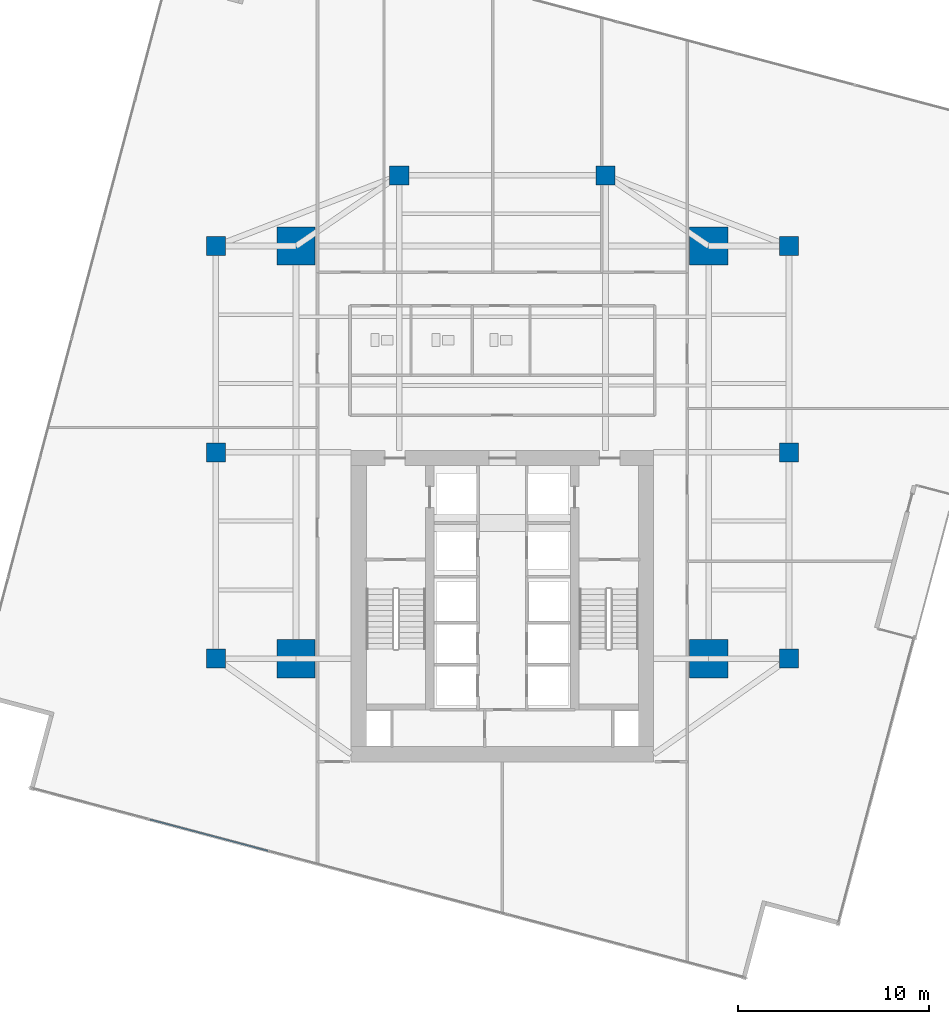
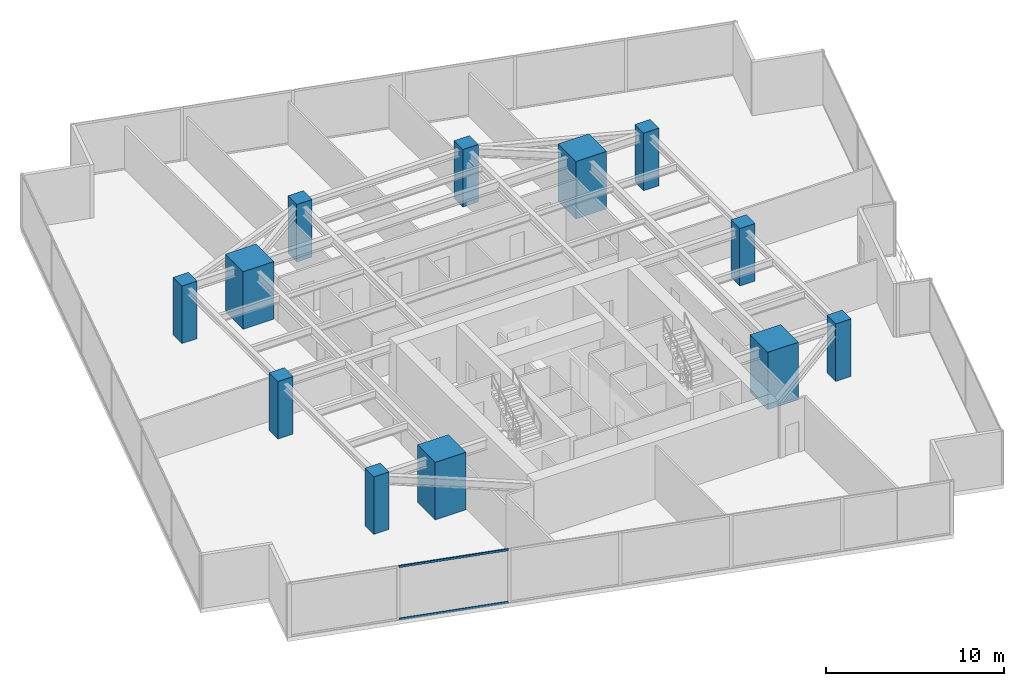
# One storey, part 1 of 27: 12 columns, 2 members, 1 element without a shape of its own.
"""IFC4 building model written with IfcOpenShell, lengths in metres."""

from ifc_helpers import new_model, si_unit, direction, frame, origin, origin_2d, place, context, subcontext, project, spatial, rectangle, hollow_rectangle, extrude, source, transform, mapped, material, material_profile, profile_set, type_object, type_shapes, element, aggregate, save


model = new_model("IFC4")

# Units and contexts
model_context = context("Model", 3, precision=1e-05, world=origin(), true_north=direction((0.0, 1.0)))
body_context = subcontext(model_context, "Body", "Model", "MODEL_VIEW")
ifc_project = project(units=[si_unit("LENGTHUNIT", "METRE"), si_unit("AREAUNIT", "SQUARE_METRE"), si_unit("VOLUMEUNIT", "CUBIC_METRE"), si_unit("PLANEANGLEUNIT", "RADIAN"), si_unit("MASSUNIT", "GRAM", prefix="KILO")], contexts=[model_context])

# Site, building, storey
site_placement = place(None, origin())
site = spatial("IfcSite", under=ifc_project, at=site_placement, CompositionType="ELEMENT")
building_placement = place(site_placement, origin())
building = spatial("IfcBuilding", under=site, at=building_placement, Name="Krantzveldt Concourse Tower", CompositionType="ELEMENT")
storey_placement = place(building_placement, frame((0.0, 0.0, 97.949951171875)))
storey = spatial("IfcBuildingStorey", under=building, at=storey_placement, Name="L23", CompositionType="ELEMENT", Elevation=97.949951171875)

# Columns
ifc_material_1 = material(Name="Concrete C60/75", Category="concrete")
ifc_material_profile_1 = material_profile(ifc_material_1, rectangle(XDim=2.0, YDim=2.0, at=origin_2d()), Name="Concrete C60/75", Category="concrete")
ifc_profile_set_1 = profile_set([ifc_material_profile_1], Name="Concrete C60/75 - RC 2000x2000")
column_type_1 = type_object("IfcColumnType", Name="COL-MC-2000", PredefinedType="USERDEFINED", material=ifc_profile_set_1)
shared_shape_1 = source(origin(), body_context, "Body", "SweptSolid", [
    extrude(rectangle(XDim=2.0, YDim=2.0, at=origin_2d()), origin(), (0.0, 0.0, 1.0), 3.949951171875),
])
type_shapes(column_type_1, [shared_shape_1])
for number, where, z_axis, x_axis, name in (
    (1, (25.199951171875, 15.89990234375, 0.0), (0.0, 0.0, 1.0), (1.0, 0.0, 0.0), "MC-SW-L23"),
    (2, (46.800048828125, 15.89990234375, 0.0), (0.0, 0.0, 1.0), (1.0, 0.0, 0.0), "MC-SE-L23"),
    (3, (46.800048828125, 37.5, 0.0), (0.0, 0.0, 1.0), (1.0, 0.0, 0.0), "MC-NE-L23"),
    (4, (25.199951171875, 37.5, 0.0), (0.0, 0.0, 1.0), (1.0, 0.0, 0.0), "MC-NW-L23"),
):
    element("IfcColumn", number, at=place(storey_placement, frame(where, z_axis=z_axis, x_axis=x_axis)), inside=storey, type_object=column_type_1, Name=name, ObjectType="MEGA COLUMN", PredefinedType="USERDEFINED", context=body_context, shape_type="MappedRepresentation", body=[
        mapped(shared_shape_1, transform((0.0, 0.0, 0.0), x_axis=(1.0, 0.0, 0.0), y_axis=(0.0, 1.0, 0.0), z_axis=(0.0, 0.0, 1.0), scale=1.0)),
    ])
ifc_material_profile_2 = material_profile(ifc_material_1, rectangle(XDim=1.0, YDim=1.0, at=origin_2d()), Name="Concrete C60/75", Category="concrete")
ifc_profile_set_2 = profile_set([ifc_material_profile_2], Name="Concrete C60/75 - RC 1000x1000")
column_type_2 = type_object("IfcColumnType", Name="COL-C-Z2", PredefinedType="COLUMN", material=ifc_profile_set_2)
shared_shape_2 = source(origin(), body_context, "Body", "SweptSolid", [
    extrude(rectangle(XDim=1.0, YDim=1.0, at=origin_2d()), origin(), (0.0, 0.0, 1.0), 3.949951171875),
])
type_shapes(column_type_2, [shared_shape_2])
for number, where, z_axis, x_axis, name in (
    (5, (21.0, 15.89990234375, 0.0), (0.0, 0.0, 1.0), (1.0, 0.0, 0.0), "PC-R01-L23"),
    (6, (21.0, 26.699951171875, 0.0), (0.0, 0.0, 1.0), (1.0, 0.0, 0.0), "PC-R02-L23"),
    (7, (21.0, 37.5, 0.0), (0.0, 0.0, 1.0), (1.0, 0.0, 0.0), "PC-R03-L23"),
    (8, (30.60009765625, 41.199951171875, 0.0), (0.0, 0.0, 1.0), (1.0, 0.0, 0.0), "PC-R04-L23"),
    (9, (41.39990234375, 41.199951171875, 0.0), (0.0, 0.0, 1.0), (1.0, 0.0, 0.0), "PC-R05-L23"),
    (10, (51.0, 37.5, 0.0), (0.0, 0.0, 1.0), (1.0, 0.0, 0.0), "PC-R06-L23"),
    (11, (51.0, 26.699951171875, 0.0), (0.0, 0.0, 1.0), (1.0, 0.0, 0.0), "PC-R07-L23"),
    (12, (51.0, 15.89990234375, 0.0), (0.0, 0.0, 1.0), (1.0, 0.0, 0.0), "PC-R08-L23"),
):
    element("IfcColumn", number, at=place(storey_placement, frame(where, z_axis=z_axis, x_axis=x_axis)), inside=storey, type_object=column_type_2, Name=name, PredefinedType="COLUMN", context=body_context, shape_type="MappedRepresentation", body=[
        mapped(shared_shape_2, transform((0.0, 0.0, 0.0), x_axis=(1.0, 0.0, 0.0), y_axis=(0.0, 1.0, 0.0), z_axis=(0.0, 0.0, 1.0), scale=1.0)),
    ])

# Curtain wall, members
ifc_material_2 = material(Name="Anodised aluminium 6063-T6", Category="aluminium")
curtain_wall_type = type_object("IfcCurtainWallType", Name="CW2", PredefinedType="USERDEFINED", material=ifc_material_2)
curtain_wall_placement = place(storey_placement, origin())
curtain_wall = element("IfcCurtainWall", 13, at=curtain_wall_placement, inside=storey, type_object=curtain_wall_type, Name="CW-L23-F04", ObjectType="UNITISED CURTAIN WALL", PredefinedType="USERDEFINED")
ifc_material_profile_3 = material_profile(ifc_material_2, hollow_rectangle(XDim=0.070068359375, YDim=0.139892578125, WallThickness=0.0048828125, at=origin_2d()), Name="Anodised aluminium 6063-T6", Category="aluminium")
ifc_profile_set_3 = profile_set([ifc_material_profile_3], Name="Anodised aluminium 6063-T6 - ALU-TRAN 140x70x5")
member_type = type_object("IfcMemberType", Name="CW-TRN-150", PredefinedType="USERDEFINED", material=ifc_profile_set_3)
shared_shape_3 = source(origin(), body_context, "Body", "SweptSolid", [
    extrude(hollow_rectangle(XDim=0.070068359375, YDim=0.139892578125, WallThickness=0.0048828125, at=origin_2d()), origin(), (0.0, 0.0, 1.0), 6.396484375),
])
type_shapes(member_type, [shared_shape_3])
member_1_placement = place(storey_placement, frame((17.550048828125, 7.482421875, 0.03515625), z_axis=(0.966477136093, -0.256752693093, 0.0), x_axis=(0.256752693093, 0.966477136093, 0.0)))
member_1 = element("IfcMember", 14, at=member_1_placement, type_object=member_type, Name="CW-Z12 transom 2.1", ObjectType="TRANSOM", PredefinedType="USERDEFINED", context=body_context, shape_type="MappedRepresentation", body=[
    mapped(shared_shape_3, transform((0.0, 0.0, 0.0), x_axis=(1.0, 0.0, 0.0), y_axis=(0.0, 1.0, 0.0), z_axis=(0.0, 0.0, 1.0), scale=1.0)),
])
member_2_placement = place(storey_placement, frame((17.550048828125, 7.482421875, 3.635009765625), z_axis=(0.966477136093, -0.256752693093, 0.0), x_axis=(0.256752693093, 0.966477136093, 0.0)))
member_2 = element("IfcMember", 15, at=member_2_placement, type_object=member_type, Name="CW-Z12 transom 2.2", ObjectType="TRANSOM", PredefinedType="USERDEFINED", context=body_context, shape_type="MappedRepresentation", body=[
    mapped(shared_shape_3, transform((0.0, 0.0, 0.0), x_axis=(1.0, 0.0, 0.0), y_axis=(0.0, 1.0, 0.0), z_axis=(0.0, 0.0, 1.0), scale=1.0)),
])
aggregate(curtain_wall, [member_1, member_2])

save(model, "model.ifc")
